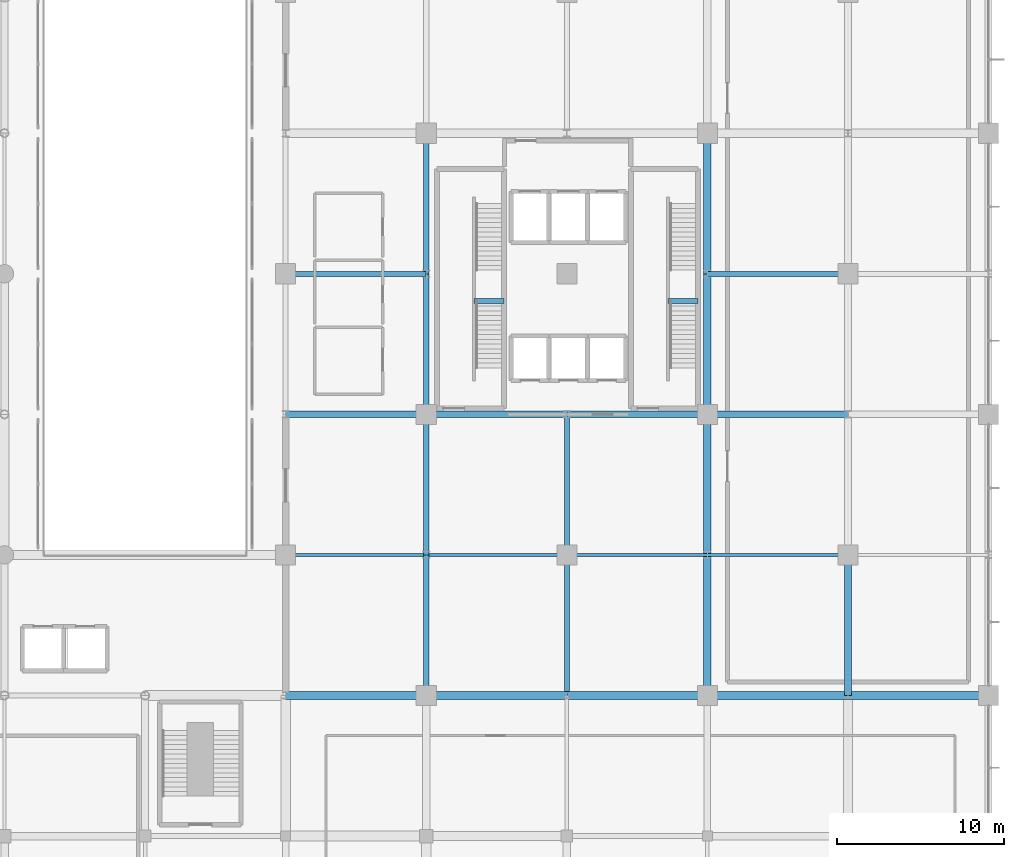
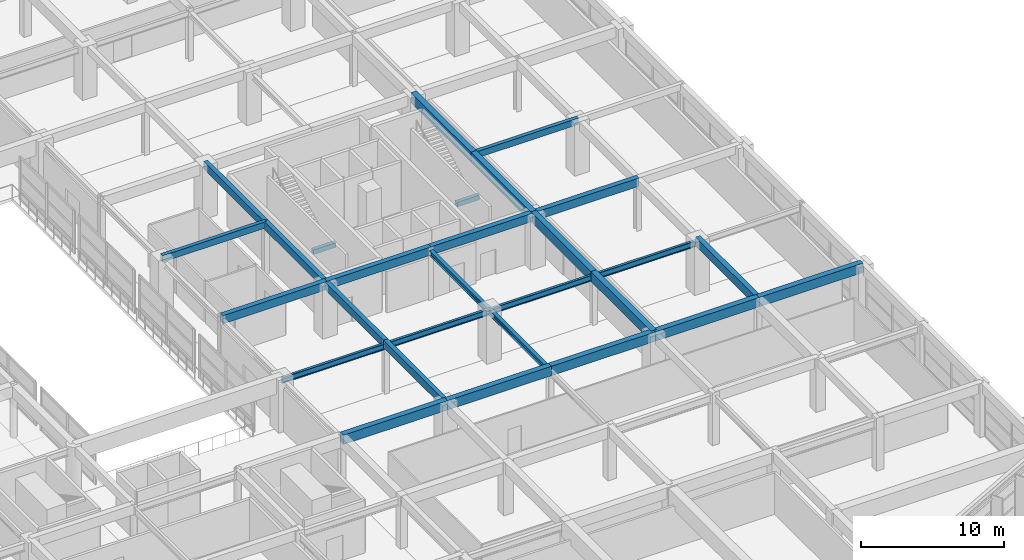
# One storey, part 36 of 65: 28 beams.
"""IFC4 building model written with IfcOpenShell, lengths in metres."""

from ifc_helpers import new_model, si_unit, direction, frame, origin, origin_2d, place, context, subcontext, project, spatial, rectangle, i_section, extrude, material, material_profile, profile_set, type_object, element, save


model = new_model("IFC4")

# Units and contexts
model_context = context("Model", 3, precision=1e-05, world=origin(), true_north=direction((0.0, 1.0)))
body_context = subcontext(model_context, "Body", "Model", "MODEL_VIEW")
ifc_project = project(units=[si_unit("LENGTHUNIT", "METRE"), si_unit("AREAUNIT", "SQUARE_METRE"), si_unit("VOLUMEUNIT", "CUBIC_METRE"), si_unit("PLANEANGLEUNIT", "RADIAN"), si_unit("MASSUNIT", "GRAM", prefix="KILO")], contexts=[model_context])

# Site, building, storey
site_placement = place(None, origin())
site = spatial("IfcSite", under=ifc_project, at=site_placement, CompositionType="ELEMENT")
building_placement = place(site_placement, origin())
building = spatial("IfcBuilding", under=site, at=building_placement, Name="Xuanlan Plaza Opera House", CompositionType="ELEMENT")
storey_placement = place(building_placement, frame((0.0, 0.0, 5.39990234375)))
storey = spatial("IfcBuildingStorey", under=building, at=storey_placement, Name="L01", CompositionType="ELEMENT", Elevation=5.39990234375)

# Beams
ifc_material_1 = material(Name="Concrete C40", Category="concrete")
ifc_material_profile_1 = material_profile(ifc_material_1, rectangle(XDim=0.449951171875, YDim=0.85009765625, at=origin_2d()), Name="RC-BM 450x850")
ifc_profile_set_1 = profile_set([ifc_material_profile_1], Name="Concrete C40")
beam_type_1 = type_object("IfcBeamType", Name="STR-BM-B-04", PredefinedType="BEAM", material=ifc_profile_set_1)
for number, where, z_axis, x_axis, name in (
    (1, (151.199951171875, 33.60009765625, 4.0751953125), (0.0, 1.0, 0.0), (-1.0, 0.0, 0.0), "Grid Beam Y L01 19/E-F"),
    (2, (151.199951171875, 42.0, 4.0751953125), (0.0, 1.0, 0.0), (-1.0, 0.0, 0.0), "Grid Beam Y L01 19/F-G"),
):
    element("IfcBeam", number, at=place(storey_placement, frame(where, z_axis=z_axis, x_axis=x_axis)), inside=storey, type_object=beam_type_1, Name=name, PredefinedType="BEAM", context=body_context, shape_type="SweptSolid", body=[
        extrude(rectangle(XDim=0.449951171875, YDim=0.85009765625, at=origin_2d()), origin(), (0.0, 0.0, 1.0), 8.39990234375),
    ])
beam_1_placement = place(storey_placement, frame((151.199951171875, 50.39990234375, 4.0751953125), z_axis=(0.0, 1.0, 0.0), x_axis=(-1.0, 0.0, 0.0)))
element("IfcBeam", 3, at=beam_1_placement, inside=storey, type_object=beam_type_1, Name="Grid Beam Y L01 19/G-H", PredefinedType="BEAM", context=body_context, shape_type="SweptSolid", body=[
    extrude(rectangle(XDim=0.449951171875, YDim=0.85009765625, at=origin_2d()), origin(), (0.0, 0.0, 1.0), 8.400146484375),
])
beam_2_placement = place(storey_placement, frame((151.199951171875, 58.800048828125, 4.0751953125), z_axis=(0.0, 1.0, 0.0), x_axis=(-1.0, 0.0, 0.0)))
element("IfcBeam", 4, at=beam_2_placement, inside=storey, type_object=beam_type_1, Name="Grid Beam Y L01 19/H-I", PredefinedType="BEAM", context=body_context, shape_type="SweptSolid", body=[
    extrude(rectangle(XDim=0.449951171875, YDim=0.85009765625, at=origin_2d()), origin(), (0.0, 0.0, 1.0), 8.39990234375),
])
ifc_material_profile_2 = material_profile(ifc_material_1, rectangle(XDim=0.449951171875, YDim=0.800048828125, at=origin_2d()), Name="RC-BM 450x800")
ifc_profile_set_2 = profile_set([ifc_material_profile_2], Name="Concrete C40")
beam_type_2 = type_object("IfcBeamType", Name="STR-BM-B-05", PredefinedType="BEAM", material=ifc_profile_set_2)
beam_3_placement = place(storey_placement, frame((126.0, 33.60009765625, 4.10009765625), z_axis=(1.0, 0.0, 0.0), x_axis=(0.0, 1.0, 0.0)))
element("IfcBeam", 5, at=beam_3_placement, inside=storey, type_object=beam_type_2, Name="Grid Beam X L01 16-17/E", PredefinedType="BEAM", context=body_context, shape_type="SweptSolid", body=[
    extrude(rectangle(XDim=0.449951171875, YDim=0.800048828125, at=origin_2d()), origin(), (0.0, 0.0, 1.0), 8.39990234375),
])
beam_4_placement = place(storey_placement, frame((134.39990234375, 33.60009765625, 4.10009765625), z_axis=(1.0, 0.0, 0.0), x_axis=(0.0, 1.0, 0.0)))
element("IfcBeam", 6, at=beam_4_placement, inside=storey, type_object=beam_type_2, Name="Grid Beam X L01 17-18/E", PredefinedType="BEAM", context=body_context, shape_type="SweptSolid", body=[
    extrude(rectangle(XDim=0.449951171875, YDim=0.800048828125, at=origin_2d()), origin(), (0.0, 0.0, 1.0), 8.400146484375),
])
beam_5_placement = place(storey_placement, frame((142.800048828125, 33.60009765625, 4.10009765625), z_axis=(1.0, 0.0, 0.0), x_axis=(0.0, 1.0, 0.0)))
element("IfcBeam", 7, at=beam_5_placement, inside=storey, type_object=beam_type_2, Name="Grid Beam X L01 18-19/E", PredefinedType="BEAM", context=body_context, shape_type="SweptSolid", body=[
    extrude(rectangle(XDim=0.449951171875, YDim=0.800048828125, at=origin_2d()), origin(), (0.0, 0.0, 1.0), 8.39990234375),
])
beam_6_placement = place(storey_placement, frame((151.199951171875, 33.60009765625, 4.10009765625), z_axis=(1.0, 0.0, 0.0), x_axis=(0.0, 1.0, 0.0)))
element("IfcBeam", 8, at=beam_6_placement, inside=storey, type_object=beam_type_2, Name="Grid Beam X L01 19-20/E", PredefinedType="BEAM", context=body_context, shape_type="SweptSolid", body=[
    extrude(rectangle(XDim=0.449951171875, YDim=0.800048828125, at=origin_2d()), origin(), (0.0, 0.0, 1.0), 8.400146484375),
])
beam_7_placement = place(storey_placement, frame((159.60009765625, 33.60009765625, 4.10009765625), z_axis=(1.0, 0.0, 0.0), x_axis=(0.0, 1.0, 0.0)))
element("IfcBeam", 9, at=beam_7_placement, inside=storey, type_object=beam_type_2, Name="Grid Beam X L01 20-21/E", PredefinedType="BEAM", context=body_context, shape_type="SweptSolid", body=[
    extrude(rectangle(XDim=0.449951171875, YDim=0.800048828125, at=origin_2d()), origin(), (0.0, 0.0, 1.0), 8.39990234375),
])
ifc_material_profile_3 = material_profile(ifc_material_1, rectangle(XDim=0.39990234375, YDim=0.75, at=origin_2d()), Name="RC-BM 400x750")
ifc_profile_set_3 = profile_set([ifc_material_profile_3], Name="Concrete C40")
beam_type_3 = type_object("IfcBeamType", Name="STR-BM-B-06", PredefinedType="BEAM", material=ifc_profile_set_3)
beam_8_placement = place(storey_placement, frame((159.60009765625, 33.60009765625, 4.125), z_axis=(0.0, 1.0, 0.0), x_axis=(-1.0, 0.0, 0.0)))
element("IfcBeam", 10, at=beam_8_placement, inside=storey, type_object=beam_type_3, Name="Grid Beam Y L01 20/E-F", PredefinedType="BEAM", context=body_context, shape_type="SweptSolid", body=[
    extrude(rectangle(XDim=0.39990234375, YDim=0.75, at=origin_2d()), origin(), (0.0, 0.0, 1.0), 8.39990234375),
])
ifc_material_profile_4 = material_profile(ifc_material_1, rectangle(XDim=0.39990234375, YDim=0.699951171875, at=origin_2d()), Name="RC-BM 400x700")
ifc_profile_set_4 = profile_set([ifc_material_profile_4], Name="Concrete C40")
beam_type_4 = type_object("IfcBeamType", Name="STR-BM-B-07", PredefinedType="BEAM", material=ifc_profile_set_4)
beam_9_placement = place(storey_placement, frame((126.0, 50.39990234375, 4.150146484375), z_axis=(1.0, 0.0, 0.0), x_axis=(0.0, 1.0, 0.0)))
element("IfcBeam", 11, at=beam_9_placement, inside=storey, type_object=beam_type_4, Name="Grid Beam X L01 16-17/G", PredefinedType="BEAM", context=body_context, shape_type="SweptSolid", body=[
    extrude(rectangle(XDim=0.39990234375, YDim=0.699951171875, at=origin_2d()), origin(), (0.0, 0.0, 1.0), 8.39990234375),
])
beam_10_placement = place(storey_placement, frame((134.39990234375, 50.39990234375, 4.150146484375), z_axis=(1.0, 0.0, 0.0), x_axis=(0.0, 1.0, 0.0)))
element("IfcBeam", 12, at=beam_10_placement, inside=storey, type_object=beam_type_4, Name="Grid Beam X L01 17-18/G", PredefinedType="BEAM", context=body_context, shape_type="SweptSolid", body=[
    extrude(rectangle(XDim=0.39990234375, YDim=0.699951171875, at=origin_2d()), origin(), (0.0, 0.0, 1.0), 8.400146484375),
])
beam_11_placement = place(storey_placement, frame((142.800048828125, 50.39990234375, 4.150146484375), z_axis=(1.0, 0.0, 0.0), x_axis=(0.0, 1.0, 0.0)))
element("IfcBeam", 13, at=beam_11_placement, inside=storey, type_object=beam_type_4, Name="Grid Beam X L01 18-19/G", PredefinedType="BEAM", context=body_context, shape_type="SweptSolid", body=[
    extrude(rectangle(XDim=0.39990234375, YDim=0.699951171875, at=origin_2d()), origin(), (0.0, 0.0, 1.0), 8.39990234375),
])
beam_12_placement = place(storey_placement, frame((151.199951171875, 50.39990234375, 4.150146484375), z_axis=(1.0, 0.0, 0.0), x_axis=(0.0, 1.0, 0.0)))
element("IfcBeam", 14, at=beam_12_placement, inside=storey, type_object=beam_type_4, Name="Grid Beam X L01 19-20/G", PredefinedType="BEAM", context=body_context, shape_type="SweptSolid", body=[
    extrude(rectangle(XDim=0.39990234375, YDim=0.699951171875, at=origin_2d()), origin(), (0.0, 0.0, 1.0), 8.400146484375),
])
ifc_material_profile_5 = material_profile(ifc_material_1, rectangle(XDim=0.35009765625, YDim=0.64990234375, at=origin_2d()), Name="RC-BM 350x650")
ifc_profile_set_5 = profile_set([ifc_material_profile_5], Name="Concrete C40")
beam_type_5 = type_object("IfcBeamType", Name="STR-BM-B-08", PredefinedType="BEAM", material=ifc_profile_set_5)
for number, where, z_axis, x_axis, name in (
    (15, (134.39990234375, 33.60009765625, 4.175048828125), (0.0, 1.0, 0.0), (-1.0, 0.0, 0.0), "Grid Beam Y L01 17/E-F"),
    (16, (134.39990234375, 42.0, 4.175048828125), (0.0, 1.0, 0.0), (-1.0, 0.0, 0.0), "Grid Beam Y L01 17/F-G"),
):
    element("IfcBeam", number, at=place(storey_placement, frame(where, z_axis=z_axis, x_axis=x_axis)), inside=storey, type_object=beam_type_5, Name=name, PredefinedType="BEAM", context=body_context, shape_type="SweptSolid", body=[
        extrude(rectangle(XDim=0.35009765625, YDim=0.64990234375, at=origin_2d()), origin(), (0.0, 0.0, 1.0), 8.39990234375),
    ])
beam_13_placement = place(storey_placement, frame((134.39990234375, 50.39990234375, 4.175048828125), z_axis=(0.0, 1.0, 0.0), x_axis=(-1.0, 0.0, 0.0)))
element("IfcBeam", 17, at=beam_13_placement, inside=storey, type_object=beam_type_5, Name="Grid Beam Y L01 17/G-H", PredefinedType="BEAM", context=body_context, shape_type="SweptSolid", body=[
    extrude(rectangle(XDim=0.35009765625, YDim=0.64990234375, at=origin_2d()), origin(), (0.0, 0.0, 1.0), 8.400146484375),
])
beam_14_placement = place(storey_placement, frame((134.39990234375, 58.800048828125, 4.175048828125), z_axis=(0.0, 1.0, 0.0), x_axis=(-1.0, 0.0, 0.0)))
element("IfcBeam", 18, at=beam_14_placement, inside=storey, type_object=beam_type_5, Name="Grid Beam Y L01 17/H-I", PredefinedType="BEAM", context=body_context, shape_type="SweptSolid", body=[
    extrude(rectangle(XDim=0.35009765625, YDim=0.64990234375, at=origin_2d()), origin(), (0.0, 0.0, 1.0), 8.39990234375),
])
ifc_material_profile_6 = material_profile(ifc_material_1, rectangle(XDim=0.300048828125, YDim=0.550048828125, at=origin_2d()), Name="RC-BM 300x550")
ifc_profile_set_6 = profile_set([ifc_material_profile_6], Name="Concrete C40")
beam_type_6 = type_object("IfcBeamType", Name="STR-BM-B-09", PredefinedType="BEAM", material=ifc_profile_set_6)
beam_15_placement = place(storey_placement, frame((126.0, 58.800048828125, 4.22509765625), z_axis=(1.0, 0.0, 0.0), x_axis=(0.0, 1.0, 0.0)))
element("IfcBeam", 19, at=beam_15_placement, inside=storey, type_object=beam_type_6, Name="Grid Beam X L01 16-17/H", PredefinedType="BEAM", context=body_context, shape_type="SweptSolid", body=[
    extrude(rectangle(XDim=0.300048828125, YDim=0.550048828125, at=origin_2d()), origin(), (0.0, 0.0, 1.0), 8.39990234375),
])
beam_16_placement = place(storey_placement, frame((151.199951171875, 58.800048828125, 4.22509765625), z_axis=(1.0, 0.0, 0.0), x_axis=(0.0, 1.0, 0.0)))
element("IfcBeam", 20, at=beam_16_placement, inside=storey, type_object=beam_type_6, Name="Grid Beam X L01 19-20/H", PredefinedType="BEAM", context=body_context, shape_type="SweptSolid", body=[
    extrude(rectangle(XDim=0.300048828125, YDim=0.550048828125, at=origin_2d()), origin(), (0.0, 0.0, 1.0), 8.400146484375),
])
ifc_material_profile_7 = material_profile(ifc_material_1, rectangle(XDim=0.300048828125, YDim=0.39990234375, at=origin_2d()), Name="RC-LNT 300x400")
ifc_profile_set_7 = profile_set([ifc_material_profile_7], Name="Concrete C40")
beam_type_7 = type_object("IfcBeamType", Name="STR-BM-LN-01", PredefinedType="LINTEL", material=ifc_profile_set_7)
beam_17_placement = place(storey_placement, frame((137.25, 57.159912109375, 1.85009765625), z_axis=(1.0, 0.0, 0.0), x_axis=(0.0, 1.0, 0.0)))
element("IfcBeam", 21, at=beam_17_placement, inside=storey, type_object=beam_type_7, Name="Stair Mid-Landing Trimmer Beam ST-T1 L01", PredefinedType="LINTEL", context=body_context, shape_type="SweptSolid", body=[
    extrude(rectangle(XDim=0.300048828125, YDim=0.39990234375, at=origin_2d()), origin(), (0.0, 0.0, 1.0), 1.800048828125),
])
beam_18_placement = place(storey_placement, frame((148.85009765625, 57.159912109375, 1.85009765625), z_axis=(1.0, 0.0, 0.0), x_axis=(0.0, 1.0, 0.0)))
element("IfcBeam", 22, at=beam_18_placement, inside=storey, type_object=beam_type_7, Name="Stair Mid-Landing Trimmer Beam ST-T2 L01", PredefinedType="LINTEL", context=body_context, shape_type="SweptSolid", body=[
    extrude(rectangle(XDim=0.300048828125, YDim=0.39990234375, at=origin_2d()), origin(), (0.0, 0.0, 1.0), 1.7998046875),
])
ifc_material_2 = material(Name="Steel Q355B", Category="steel")
ifc_material_profile_8 = material_profile(ifc_material_2, i_section(OverallWidth=0.199951171875, OverallDepth=0.5, WebThickness=0.010009765625, FlangeThickness=0.01611328125, FilletRadius=0.02001953125, at=origin_2d()), Name="HN 500x200x10x16")
ifc_profile_set_8 = profile_set([ifc_material_profile_8], Name="Steel Q355B")
beam_type_8 = type_object("IfcBeamType", Name="STR-BM-SB-05", PredefinedType="BEAM", material=ifc_profile_set_8)
beam_19_placement = place(storey_placement, frame((126.0, 42.0, 3.985107421875), z_axis=(1.0, 0.0, 0.0), x_axis=(0.0, 1.0, 0.0)))
element("IfcBeam", 23, at=beam_19_placement, inside=storey, type_object=beam_type_8, Name="Grid Beam X L01 16-17/F", PredefinedType="BEAM", context=body_context, shape_type="SweptSolid", body=[
    extrude(i_section(OverallWidth=0.199951171875, OverallDepth=0.5, WebThickness=0.010009765625, FlangeThickness=0.01611328125, FilletRadius=0.02001953125, at=origin_2d()), origin(), (0.0, 0.0, 1.0), 8.39990234375),
])
beam_20_placement = place(storey_placement, frame((134.39990234375, 42.0, 3.985107421875), z_axis=(1.0, 0.0, 0.0), x_axis=(0.0, 1.0, 0.0)))
element("IfcBeam", 24, at=beam_20_placement, inside=storey, type_object=beam_type_8, Name="Grid Beam X L01 17-18/F", PredefinedType="BEAM", context=body_context, shape_type="SweptSolid", body=[
    extrude(i_section(OverallWidth=0.199951171875, OverallDepth=0.5, WebThickness=0.010009765625, FlangeThickness=0.01611328125, FilletRadius=0.02001953125, at=origin_2d()), origin(), (0.0, 0.0, 1.0), 8.400146484375),
])
beam_21_placement = place(storey_placement, frame((142.800048828125, 42.0, 3.985107421875), z_axis=(1.0, 0.0, 0.0), x_axis=(0.0, 1.0, 0.0)))
element("IfcBeam", 25, at=beam_21_placement, inside=storey, type_object=beam_type_8, Name="Grid Beam X L01 18-19/F", PredefinedType="BEAM", context=body_context, shape_type="SweptSolid", body=[
    extrude(i_section(OverallWidth=0.199951171875, OverallDepth=0.5, WebThickness=0.010009765625, FlangeThickness=0.01611328125, FilletRadius=0.02001953125, at=origin_2d()), origin(), (0.0, 0.0, 1.0), 8.39990234375),
])
beam_22_placement = place(storey_placement, frame((151.199951171875, 42.0, 3.985107421875), z_axis=(1.0, 0.0, 0.0), x_axis=(0.0, 1.0, 0.0)))
element("IfcBeam", 26, at=beam_22_placement, inside=storey, type_object=beam_type_8, Name="Grid Beam X L01 19-20/F", PredefinedType="BEAM", context=body_context, shape_type="SweptSolid", body=[
    extrude(i_section(OverallWidth=0.199951171875, OverallDepth=0.5, WebThickness=0.010009765625, FlangeThickness=0.01611328125, FilletRadius=0.02001953125, at=origin_2d()), origin(), (0.0, 0.0, 1.0), 8.400146484375),
])
ifc_material_profile_9 = material_profile(ifc_material_2, i_section(OverallWidth=0.300048828125, OverallDepth=0.43994140625, WebThickness=0.010986328125, FlangeThickness=0.01806640625, FilletRadius=0.02001953125, at=origin_2d()), Name="HM 440x300x11x18")
ifc_profile_set_9 = profile_set([ifc_material_profile_9], Name="Steel Q355B")
beam_type_9 = type_object("IfcBeamType", Name="STR-BM-SB-08", PredefinedType="BEAM", material=ifc_profile_set_9)
for number, where, z_axis, x_axis, name in (
    (27, (142.800048828125, 33.60009765625, 4.01513671875), (0.0, 1.0, 0.0), (-1.0, 0.0, 0.0), "Grid Beam Y L01 18/E-F"),
    (28, (142.800048828125, 42.0, 4.01513671875), (0.0, 1.0, 0.0), (-1.0, 0.0, 0.0), "Grid Beam Y L01 18/F-G"),
):
    element("IfcBeam", number, at=place(storey_placement, frame(where, z_axis=z_axis, x_axis=x_axis)), inside=storey, type_object=beam_type_9, Name=name, PredefinedType="BEAM", context=body_context, shape_type="SweptSolid", body=[
        extrude(i_section(OverallWidth=0.300048828125, OverallDepth=0.43994140625, WebThickness=0.010986328125, FlangeThickness=0.01806640625, FilletRadius=0.02001953125, at=origin_2d()), origin(), (0.0, 0.0, 1.0), 8.39990234375),
    ])

save(model, "model.ifc")
